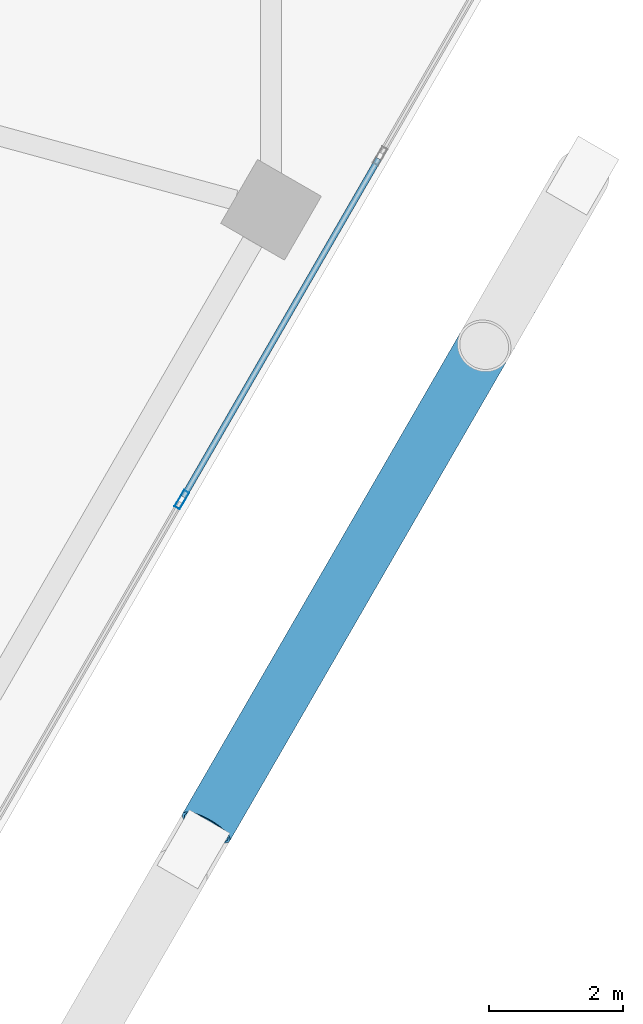
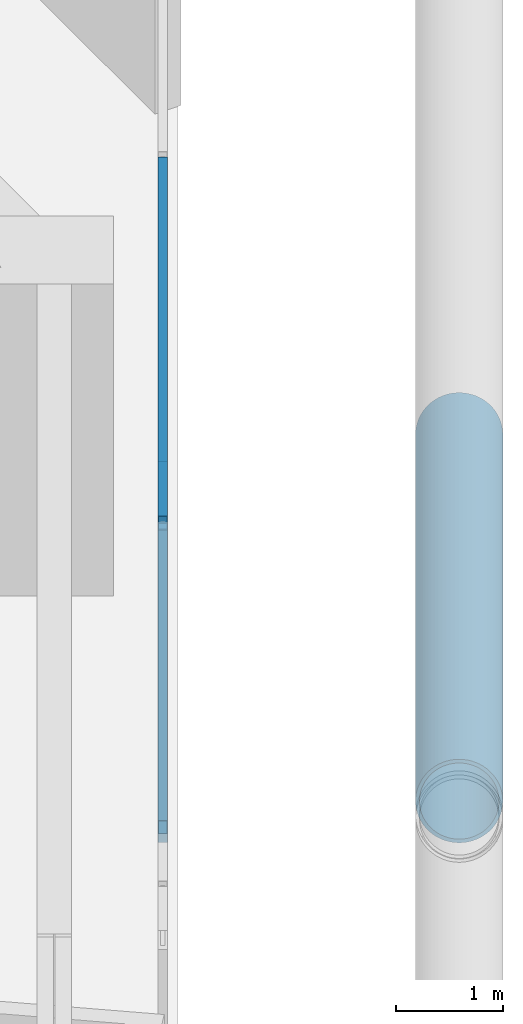
# One storey, part 12 of 35: 4 members, 1 element without a shape of its own.
"""IFC4 building model written with IfcOpenShell, lengths in metres."""

from ifc_helpers import new_model, si_unit, direction, frame, origin, origin_2d, place, context, subcontext, project, spatial, hollow_rectangle, hollow_circle, extrude, material, material_profile, profile_set, type_object, element, aggregate, save


model = new_model("IFC4")

# Units and contexts
model_context = context("Model", 3, precision=1e-05, world=origin(), true_north=direction((0.0, 1.0)))
body_context = subcontext(model_context, "Body", "Model", "MODEL_VIEW")
ifc_project = project(units=[si_unit("LENGTHUNIT", "METRE"), si_unit("AREAUNIT", "SQUARE_METRE"), si_unit("VOLUMEUNIT", "CUBIC_METRE"), si_unit("PLANEANGLEUNIT", "RADIAN"), si_unit("MASSUNIT", "GRAM", prefix="KILO")], contexts=[model_context])

# Site, building, storey
site_placement = place(None, origin())
site = spatial("IfcSite", under=ifc_project, at=site_placement, CompositionType="ELEMENT")
building_placement = place(site_placement, origin())
building = spatial("IfcBuilding", under=site, at=building_placement, Name="Zuhravey Tower", CompositionType="ELEMENT")
storey_placement = place(building_placement, frame((0.0, 0.0, 92.39990234375)))
storey = spatial("IfcBuildingStorey", under=building, at=storey_placement, Name="L22", CompositionType="ELEMENT", Elevation=92.39990234375)

# Curtain wall, members
ifc_material_1 = material(Name="Thermally broken anodised aluminium", Category="aluminium")
curtain_wall_type = type_object("IfcCurtainWallType", Name="Zone 1-2 Residential Curtain Wall CW3", PredefinedType="NOTDEFINED", material=ifc_material_1)
curtain_wall_placement = place(storey_placement, origin())
curtain_wall = element("IfcCurtainWall", 1, at=curtain_wall_placement, inside=storey, type_object=curtain_wall_type, Name="L22 CW3 CW-L22-F6-1", PredefinedType="NOTDEFINED")
ifc_material_2 = material(Name="Anodised aluminium", Category="aluminium")
ifc_material_profile_1 = material_profile(ifc_material_2, hollow_rectangle(XDim=0.090087890625, YDim=0.284912109375, WallThickness=0.0048828125, at=origin_2d()), Name="ALU-RHS-90x285x5")
ifc_profile_set_1 = profile_set([ifc_material_profile_1], Name="Anodised aluminium")
member_type_1 = type_object("IfcMemberType", Name="Curtain-Wall Mullion 90x180", PredefinedType="MULLION", material=ifc_profile_set_1)
member_1_placement = place(storey_placement, frame((62.55859375, 20.083984375, 0.0), z_axis=(0.0, 0.0, 1.0), x_axis=(0.86602552265, -0.499999794119, 0.0)))
member_1 = element("IfcMember", 2, at=member_1_placement, type_object=member_type_1, Name="CW3 mullion 3", PredefinedType="MULLION", context=body_context, shape_type="SweptSolid", body=[
    extrude(hollow_rectangle(XDim=0.090087890625, YDim=0.284912109375, WallThickness=0.0048828125, at=origin_2d()), origin(), (0.0, 0.0, 1.0), 3.550048828125),
])
ifc_material_profile_2 = material_profile(ifc_material_2, hollow_rectangle(XDim=0.090087890625, YDim=0.14990234375, WallThickness=0.0048828125, at=origin_2d()), Name="ALU-RHS-90x150x5")
ifc_profile_set_2 = profile_set([ifc_material_profile_2], Name="Anodised aluminium")
member_type_2 = type_object("IfcMemberType", Name="Curtain-Wall Transom 90x150", PredefinedType="USERDEFINED", material=ifc_profile_set_2)
member_2_placement = place(storey_placement, frame((65.49609375, 25.171875, 0.045166015625), z_axis=(-0.499981042766, -0.866036348472, 0.0), x_axis=(0.866036348472, -0.499981042766, 0.0)))
member_2 = element("IfcMember", 3, at=member_2_placement, type_object=member_type_2, Name="CW3 transom 2.1", ObjectType="TRANSOM", PredefinedType="USERDEFINED", context=body_context, shape_type="SweptSolid", body=[
    extrude(hollow_rectangle(XDim=0.090087890625, YDim=0.14990234375, WallThickness=0.0048828125, at=origin_2d()), origin(), (0.0, 0.0, 1.0), 5.829833984375),
])
member_3_placement = place(storey_placement, frame((65.49609375, 25.171875, 3.505126953125), z_axis=(-0.499981042766, -0.866036348472, 0.0), x_axis=(0.866036348472, -0.499981042766, 0.0)))
member_3 = element("IfcMember", 4, at=member_3_placement, type_object=member_type_2, Name="CW3 transom 2.2", ObjectType="TRANSOM", PredefinedType="USERDEFINED", context=body_context, shape_type="SweptSolid", body=[
    extrude(hollow_rectangle(XDim=0.090087890625, YDim=0.14990234375, WallThickness=0.0048828125, at=origin_2d()), origin(), (0.0, 0.0, 1.0), 5.829833984375),
])
aggregate(curtain_wall, [member_1, member_2, member_3])

# Member
ifc_material_3 = material(Name="Steel SM460", Category="steel")
ifc_material_profile_3 = material_profile(ifc_material_3, hollow_circle(Radius=0.406494140625, WallThickness=0.035888671875, at=origin_2d()), Name="CHS-812.8x36")
ifc_profile_set_3 = profile_set([ifc_material_profile_3], Name="Steel SM460")
member_type_3 = type_object("IfcMemberType", Name="Exoskeleton Zone 1 Diagrid CHS813x36", PredefinedType="BRACE", material=ifc_profile_set_3)
member_4_placement = place(storey_placement, frame((68.511474609375, 24.87451171875, -0.44677734375), z_axis=(-0.475191097731, -0.823054392152, 0.311086624908), x_axis=(0.866025211119, -0.500000333706, 0.0)))
element("IfcMember", 5, at=member_4_placement, inside=storey, type_object=member_type_3, Name="L22 Face 6 Split Diagrid Brace 3A", PredefinedType="BRACE", context=body_context, shape_type="SweptSolid", body=[
    extrude(hollow_circle(Radius=0.406494140625, WallThickness=0.035888671875, at=origin_2d()), origin(), (0.0, 0.0, 1.0), 11.763427734375),
])

save(model, "model.ifc")
